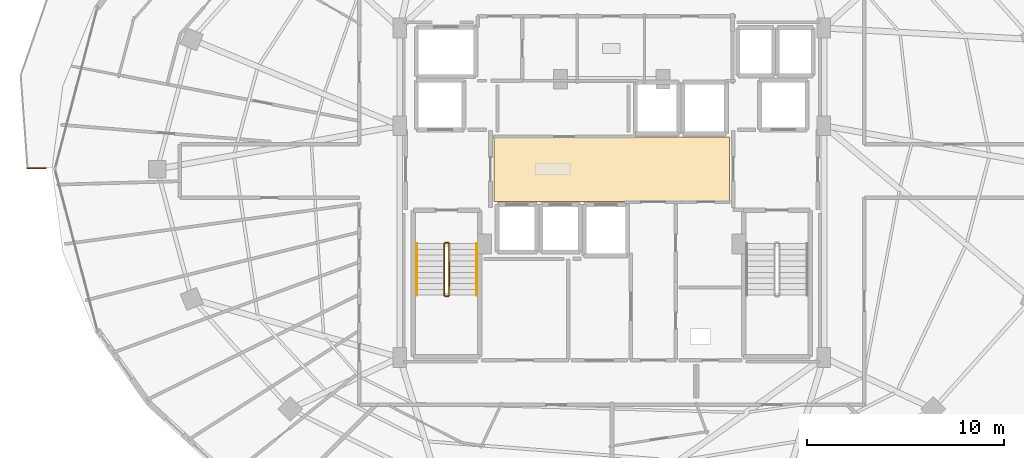
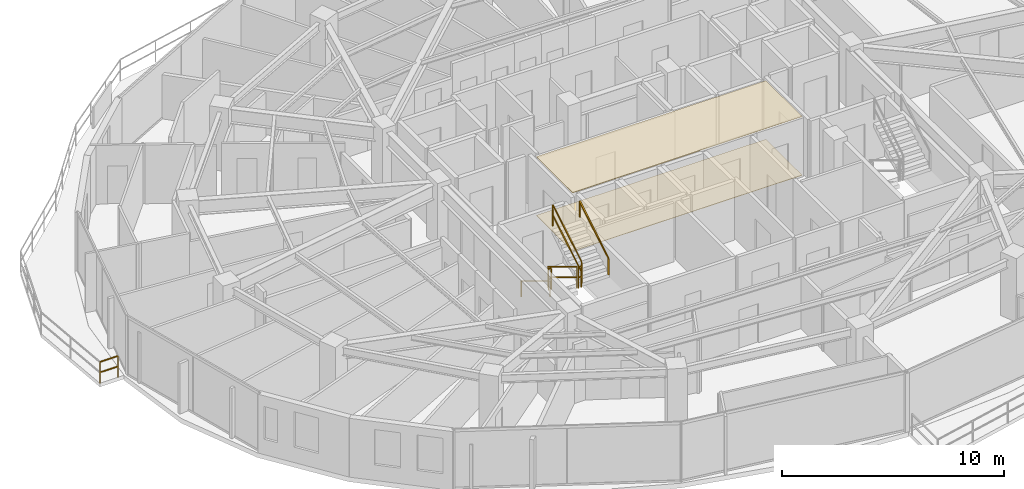
# One storey, part 28 of 31: 7 railings, 2 coverings.
"""IFC4 building model written with IfcOpenShell, lengths in metres."""

from ifc_helpers import new_model, si_unit, direction, frame, origin, origin_2d, place, context, subcontext, project, spatial, polyline, rectangle, outline, extrude, material, layer, layer_set, type_object, element, save


model = new_model("IFC4")

# Units and contexts
model_context = context("Model", 3, precision=1e-05, world=origin(), true_north=direction((0.0, 1.0)))
body_context = subcontext(model_context, "Body", "Model", "MODEL_VIEW")
ifc_project = project(units=[si_unit("LENGTHUNIT", "METRE"), si_unit("AREAUNIT", "SQUARE_METRE"), si_unit("VOLUMEUNIT", "CUBIC_METRE"), si_unit("PLANEANGLEUNIT", "RADIAN"), si_unit("MASSUNIT", "GRAM", prefix="KILO")], contexts=[model_context])

# Site, building, storey
site_placement = place(None, origin())
site = spatial("IfcSite", under=ifc_project, at=site_placement, CompositionType="ELEMENT")
building_placement = place(site_placement, origin())
building = spatial("IfcBuilding", under=site, at=building_placement, Name="Vorneva Point Tower", CompositionType="ELEMENT")
storey_placement = place(building_placement, frame((0.0, 0.0, 193.10009765625)))
storey = spatial("IfcBuildingStorey", under=building, at=storey_placement, Name="L52", CompositionType="ELEMENT", Elevation=193.10009765625)

# Coverings
ifc_material_1 = material(Name="Perforated acoustic aluminium baffle ceiling", Category="aluminium")
ifc_layer_1 = layer(ifc_material_1, 0.030029296875)
ifc_layer_set_1 = layer_set([ifc_layer_1], Name="Perforated acoustic aluminium baffle ceiling")
covering_type_1 = type_object("IfcCoveringType", Name="COV-CEIL-BAF", PredefinedType="CEILING", material=ifc_layer_set_1)
covering_1_placement = place(storey_placement, frame((0.0, 0.0, 3.2099609375)))
element("IfcCovering", 1, at=covering_1_placement, inside=storey, type_object=covering_type_1, Name="L52 Lift Lobby Acoustic Baffle Ceiling", PredefinedType="CEILING", context=body_context, shape_type="SweptSolid", body=[
    extrude(outline(polyline([(32.02001953125, 24.3701171875), (43.97998046875, 24.3701171875), (43.97998046875, 27.6298828125), (32.02001953125, 27.6298828125), (32.02001953125, 24.3701171875)])), origin(), (0.0, 0.0, 1.0), 0.034912109375),
])
ifc_material_2 = material(Name="Acoustic wool hospitality carpet", Category="textile")
ifc_layer_2 = layer(ifc_material_2, 0.01806640625)
ifc_layer_set_2 = layer_set([ifc_layer_2], Name="Acoustic wool hospitality carpet")
covering_type_2 = type_object("IfcCoveringType", Name="COV-FLR-CRP", PredefinedType="FLOORING", material=ifc_layer_set_2)
covering_2_placement = place(storey_placement, frame((0.0, 0.0, -0.005126953125)))
element("IfcCovering", 2, at=covering_2_placement, inside=storey, type_object=covering_type_2, Name="L52 Lift Lobby Floor Finish", PredefinedType="FLOORING", context=body_context, shape_type="SweptSolid", body=[
    extrude(outline(polyline([(32.02001953125, 24.3701171875), (43.97998046875, 24.3701171875), (43.97998046875, 27.6298828125), (32.02001953125, 27.6298828125), (32.02001953125, 24.3701171875)])), origin(), (0.0, 0.0, 1.0), 0.02294921875),
])

# Railings
ifc_material_3 = material(Name="Pale anodised aluminium", Category="aluminium")
railing_type_1 = type_object("IfcRailingType", Name="RL-BAL-1200", PredefinedType="BALUSTRADE", material=ifc_material_3)
railing_1_placement = place(storey_placement, frame((8.3662109375, 26.050048828125, 0.0)))
element("IfcRailing", 3, at=railing_1_placement, inside=storey, type_object=railing_type_1, Name="L52 Wave Balcony Balustrade NW.1", PredefinedType="BALUSTRADE", context=body_context, shape_type="SweptSolid", body=[
    extrude(rectangle(XDim=0.048095703125, YDim=0.048095703125, at=origin_2d()), frame((0.0, 0.0, 1.17578125), z_axis=(1.0, 0.0, 0.0), x_axis=(0.0, 1.0, 0.0)), (0.0, 0.0, 1.0), 0.9375),
    extrude(rectangle(XDim=0.048095703125, YDim=0.048095703125, at=origin_2d()), frame((0.0, 0.0, 0.60009765625), z_axis=(1.0, 0.0, 0.0), x_axis=(0.0, 1.0, 0.0)), (0.0, 0.0, 1.0), 0.9375),
    extrude(rectangle(XDim=0.0419921875, YDim=0.0419921875, at=origin_2d()), origin(), (0.0, 0.0, 1.0), 1.15185546875),
    extrude(rectangle(XDim=0.0419921875, YDim=0.0419921875, at=origin_2d()), frame((0.9375, 0.0, 0.0)), (0.0, 0.0, 1.0), 1.15185546875),
])
ifc_material_4 = material(Name="Brushed stainless steel S304", Category="steel")
railing_type_2 = type_object("IfcRailingType", Name="RL-HND-920", PredefinedType="HANDRAIL", material=ifc_material_4)
railing_2_placement = place(storey_placement, frame((28.10009765625, 22.219970703125, 0.1748046875)))
element("IfcRailing", 4, at=railing_2_placement, inside=storey, type_object=railing_type_2, Name="L52 ST1 stair handrail 1", PredefinedType="HANDRAIL", context=body_context, shape_type="SweptSolid", body=[
    extrude(rectangle(XDim=0.048095703125, YDim=0.048095703125, at=origin_2d()), frame((0.0, 0.0, 0.8759765625), z_axis=(0.0, -0.856147343639, 0.516731773728), x_axis=(1.0, 0.0, 0.0)), (0.0, 0.0, 1.0), 3.04833984375),
    extrude(rectangle(XDim=0.0419921875, YDim=0.0419921875, at=origin_2d()), origin(), (0.0, 0.0, 1.0), 0.851806640625),
    extrude(rectangle(XDim=0.0419921875, YDim=0.0419921875, at=origin_2d()), frame((0.0, -2.60986328125, 1.5751953125)), (0.0, 0.0, 1.0), 0.851806640625),
])
railing_3_placement = place(storey_placement, frame((31.14990234375, 19.610107421875, 1.9248046875)))
element("IfcRailing", 5, at=railing_3_placement, inside=storey, type_object=railing_type_2, Name="L52 ST1 stair handrail 2", PredefinedType="HANDRAIL", context=body_context, shape_type="SweptSolid", body=[
    extrude(rectangle(XDim=0.048095703125, YDim=0.048095703125, at=origin_2d()), frame((0.0, 0.0, 0.8759765625), z_axis=(0.0, 0.856147343639, 0.516731773728), x_axis=(-1.0, 0.0, 0.0)), (0.0, 0.0, 1.0), 3.04833984375),
    extrude(rectangle(XDim=0.0419921875, YDim=0.0419921875, at=origin_2d()), origin(), (0.0, 0.0, 1.0), 0.851806640625),
    extrude(rectangle(XDim=0.0419921875, YDim=0.0419921875, at=origin_2d()), frame((0.0, 2.60986328125, 1.5751953125)), (0.0, 0.0, 1.0), 0.851806640625),
])
railing_type_3 = type_object("IfcRailingType", Name="RL-STG-1100", PredefinedType="GUARDRAIL", material=ifc_material_4)
railing_4_placement = place(storey_placement, frame((29.5, 22.219970703125, 0.1748046875)))
element("IfcRailing", 6, at=railing_4_placement, inside=storey, type_object=railing_type_3, Name="L52 ST1 stair guard 1", PredefinedType="GUARDRAIL", context=body_context, shape_type="SweptSolid", body=[
    extrude(rectangle(XDim=0.048095703125, YDim=0.048095703125, at=origin_2d()), frame((0.0, 0.0, 1.17578125), z_axis=(0.0, -0.856147343639, 0.516731773728), x_axis=(1.0, 0.0, 0.0)), (0.0, 0.0, 1.0), 3.04833984375),
    extrude(rectangle(XDim=0.048095703125, YDim=0.048095703125, at=origin_2d()), frame((0.0, 0.0, 0.60009765625), z_axis=(0.0, -0.856147343639, 0.516731773728), x_axis=(1.0, 0.0, 0.0)), (0.0, 0.0, 1.0), 3.04833984375),
    extrude(rectangle(XDim=0.0419921875, YDim=0.0419921875, at=origin_2d()), origin(), (0.0, 0.0, 1.0), 1.15185546875),
    extrude(rectangle(XDim=0.0419921875, YDim=0.0419921875, at=origin_2d()), frame((0.0, -2.60986328125, 1.5751953125)), (0.0, 0.0, 1.0), 1.15185546875),
])
railing_5_placement = place(storey_placement, frame((29.550048828125, 19.56005859375, 1.75)))
element("IfcRailing", 7, at=railing_5_placement, inside=storey, type_object=railing_type_3, Name="L52 ST1 stair guard 2", PredefinedType="GUARDRAIL", context=body_context, shape_type="SweptSolid", body=[
    extrude(rectangle(XDim=0.048095703125, YDim=0.048095703125, at=origin_2d()), frame((0.0, 0.0, 1.17578125), z_axis=(1.0, 0.0, 0.0), x_axis=(0.0, 1.0, 0.0)), (0.0, 0.0, 1.0), 0.14990234375),
    extrude(rectangle(XDim=0.048095703125, YDim=0.048095703125, at=origin_2d()), frame((0.0, 0.0, 0.60009765625), z_axis=(1.0, 0.0, 0.0), x_axis=(0.0, 1.0, 0.0)), (0.0, 0.0, 1.0), 0.14990234375),
    extrude(rectangle(XDim=0.0419921875, YDim=0.0419921875, at=origin_2d()), origin(), (0.0, 0.0, 1.0), 1.15185546875),
    extrude(rectangle(XDim=0.0419921875, YDim=0.0419921875, at=origin_2d()), frame((0.14990234375, 0.0, 0.0)), (0.0, 0.0, 1.0), 1.15185546875),
])
railing_6_placement = place(storey_placement, frame((29.75, 19.610107421875, 1.9248046875)))
element("IfcRailing", 8, at=railing_6_placement, inside=storey, type_object=railing_type_3, Name="L52 ST1 stair guard 3", PredefinedType="GUARDRAIL", context=body_context, shape_type="SweptSolid", body=[
    extrude(rectangle(XDim=0.048095703125, YDim=0.048095703125, at=origin_2d()), frame((0.0, 0.0, 1.17578125), z_axis=(0.0, 0.856147343639, 0.516731773728), x_axis=(-1.0, 0.0, 0.0)), (0.0, 0.0, 1.0), 3.04833984375),
    extrude(rectangle(XDim=0.048095703125, YDim=0.048095703125, at=origin_2d()), frame((0.0, 0.0, 0.60009765625), z_axis=(0.0, 0.856147343639, 0.516731773728), x_axis=(-1.0, 0.0, 0.0)), (0.0, 0.0, 1.0), 3.04833984375),
    extrude(rectangle(XDim=0.0419921875, YDim=0.0419921875, at=origin_2d()), origin(), (0.0, 0.0, 1.0), 1.15185546875),
    extrude(rectangle(XDim=0.0419921875, YDim=0.0419921875, at=origin_2d()), frame((0.0, 2.60986328125, 1.5751953125)), (0.0, 0.0, 1.0), 1.15185546875),
])
railing_7_placement = place(storey_placement, frame((29.550048828125, 22.27001953125, 0.0)))
element("IfcRailing", 9, at=railing_7_placement, inside=storey, type_object=railing_type_3, Name="L52 ST1 stair guard 4", PredefinedType="GUARDRAIL", context=body_context, shape_type="SweptSolid", body=[
    extrude(rectangle(XDim=0.048095703125, YDim=0.048095703125, at=origin_2d()), frame((0.0, 0.0, 1.17578125), z_axis=(1.0, 0.0, 0.0), x_axis=(0.0, 1.0, 0.0)), (0.0, 0.0, 1.0), 0.14990234375),
    extrude(rectangle(XDim=0.048095703125, YDim=0.048095703125, at=origin_2d()), frame((0.0, 0.0, 0.60009765625), z_axis=(1.0, 0.0, 0.0), x_axis=(0.0, 1.0, 0.0)), (0.0, 0.0, 1.0), 0.14990234375),
    extrude(rectangle(XDim=0.0419921875, YDim=0.0419921875, at=origin_2d()), origin(), (0.0, 0.0, 1.0), 1.15185546875),
    extrude(rectangle(XDim=0.0419921875, YDim=0.0419921875, at=origin_2d()), frame((0.14990234375, 0.0, 0.0)), (0.0, 0.0, 1.0), 1.15185546875),
])

save(model, "model.ifc")
